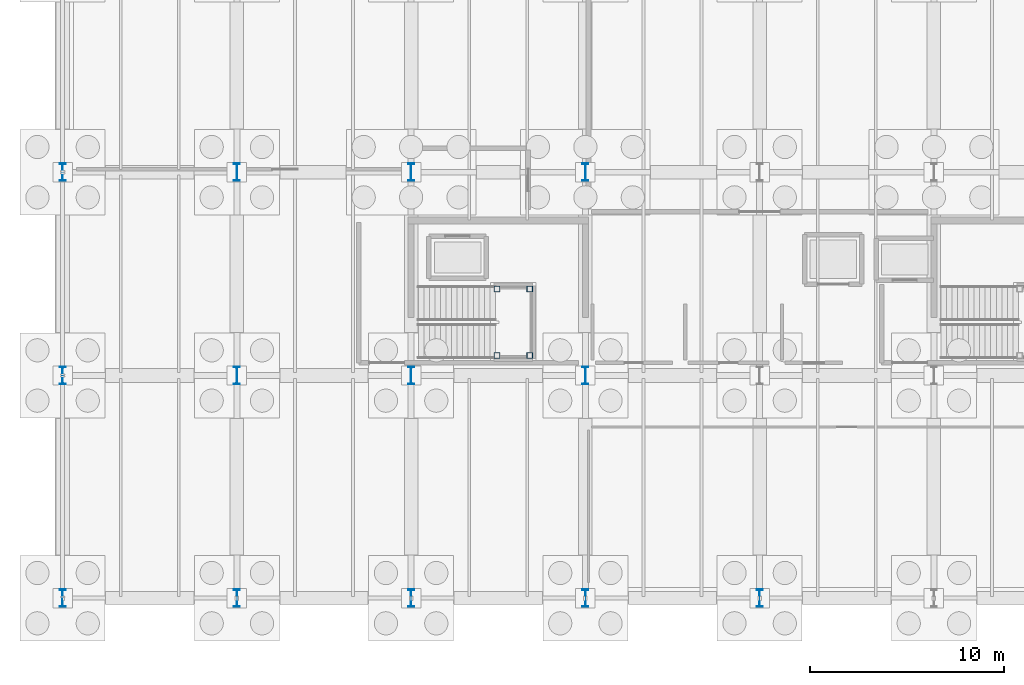
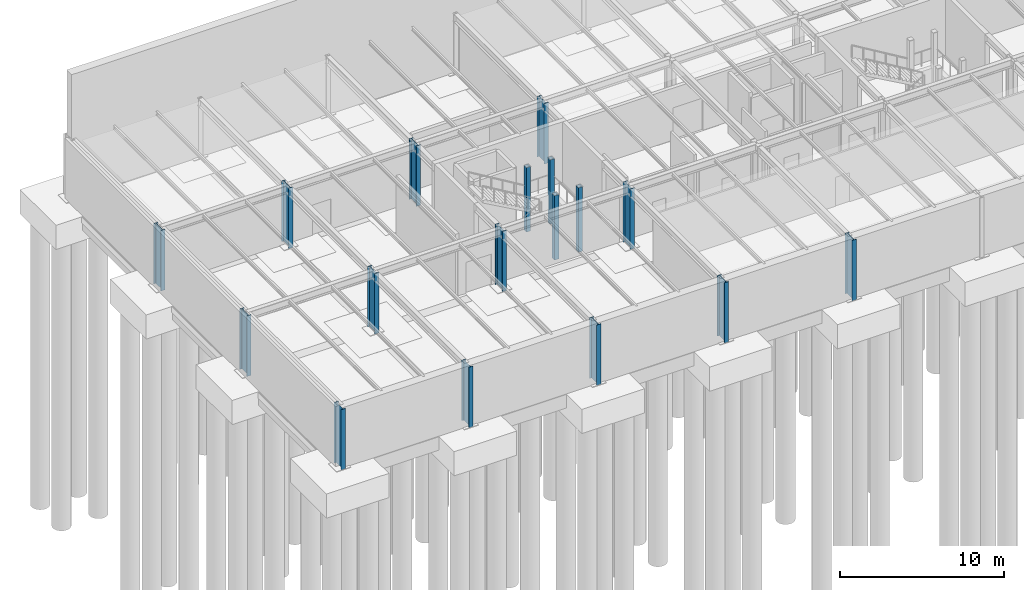
# One storey, part 3 of 19: 17 columns.
"""IFC4 building model written with IfcOpenShell, lengths in metres."""

from ifc_helpers import new_model, si_unit, direction, frame, origin, origin_2d, place, context, subcontext, project, spatial, hollow_rectangle, i_section, extrude, material, material_profile, profile_set, type_object, element, save


model = new_model("IFC4")

# Units and contexts
model_context = context("Model", 3, precision=1e-05, world=origin(), true_north=direction((0.0, 1.0)))
body_context = subcontext(model_context, "Body", "Model", "MODEL_VIEW")
ifc_project = project(units=[si_unit("LENGTHUNIT", "METRE"), si_unit("AREAUNIT", "SQUARE_METRE"), si_unit("VOLUMEUNIT", "CUBIC_METRE"), si_unit("PLANEANGLEUNIT", "RADIAN"), si_unit("MASSUNIT", "GRAM", prefix="KILO")], contexts=[model_context])

# Site, building, storey
site_placement = place(None, origin())
site = spatial("IfcSite", under=ifc_project, at=site_placement, CompositionType="ELEMENT")
building_placement = place(site_placement, origin())
building = spatial("IfcBuilding", under=site, at=building_placement, Name="Marlcrest Central Station", CompositionType="ELEMENT")
storey_placement = place(building_placement, frame((0.0, 0.0, -4.800048828125)))
storey = spatial("IfcBuildingStorey", under=building, at=storey_placement, Name="B1", CompositionType="ELEMENT", Elevation=-4.800048828125)

# Columns
ifc_material = material(Name="Steel S355", Category="steel")
ifc_material_profile_1 = material_profile(ifc_material, i_section(OverallWidth=0.300048828125, OverallDepth=0.89990234375, WebThickness=0.0185546875, FlangeThickness=0.034912109375, FilletRadius=0.030029296875, at=origin_2d()), Name="HEB 900")
ifc_profile_set_1 = profile_set([ifc_material_profile_1], Name="Steel S355")
column_type_1 = type_object("IfcColumnType", Name="SC-09", PredefinedType="COLUMN", material=ifc_profile_set_1)
for number, where, z_axis, x_axis, name in (
    (1, (0.0, 99.0, 0.0), (0.0, 0.0, 1.0), (1.0, 0.0, 0.0), "col-SC-09-B1-0001"),
    (2, (0.0, 110.5, 0.0), (0.0, 0.0, 1.0), (1.0, 0.0, 0.0), "col-SC-09-B1-0002"),
    (3, (0.0, 121.0, 0.0), (0.0, 0.0, 1.0), (1.0, 0.0, 0.0), "col-SC-09-B1-0003"),
    (4, (9.0, 99.0, 0.0), (0.0, 0.0, 1.0), (1.0, 0.0, 0.0), "col-SC-09-B1-0005"),
    (5, (9.0, 110.5, 0.0), (0.0, 0.0, 1.0), (1.0, 0.0, 0.0), "col-SC-09-B1-0006"),
    (6, (9.0, 121.0, 0.0), (0.0, 0.0, 1.0), (1.0, 0.0, 0.0), "col-SC-09-B1-0007"),
    (7, (18.0, 99.0, 0.0), (0.0, 0.0, 1.0), (1.0, 0.0, 0.0), "col-SC-09-B1-0009"),
    (8, (18.0, 110.5, 0.0), (0.0, 0.0, 1.0), (1.0, 0.0, 0.0), "col-SC-09-B1-0010"),
    (9, (18.0, 121.0, 0.0), (0.0, 0.0, 1.0), (1.0, 0.0, 0.0), "col-SC-09-B1-0011"),
    (10, (27.0, 99.0, 0.0), (0.0, 0.0, 1.0), (1.0, 0.0, 0.0), "col-SC-09-B1-0013"),
    (11, (27.0, 110.5, 0.0), (0.0, 0.0, 1.0), (1.0, 0.0, 0.0), "col-SC-09-B1-0014"),
    (12, (27.0, 121.0, 0.0), (0.0, 0.0, 1.0), (1.0, 0.0, 0.0), "col-SC-09-B1-0015"),
    (13, (36.0, 99.0, 0.0), (0.0, 0.0, 1.0), (1.0, 0.0, 0.0), "col-SC-09-B1-0017"),
):
    element("IfcColumn", number, at=place(storey_placement, frame(where, z_axis=z_axis, x_axis=x_axis)), inside=storey, type_object=column_type_1, Name=name, PredefinedType="COLUMN", context=body_context, shape_type="SweptSolid", body=[
        extrude(i_section(OverallWidth=0.300048828125, OverallDepth=0.89990234375, WebThickness=0.0185546875, FlangeThickness=0.034912109375, FilletRadius=0.030029296875, at=origin_2d()), origin(), (0.0, 0.0, 1.0), 4.5),
    ])
ifc_material_profile_2 = material_profile(ifc_material, hollow_rectangle(XDim=0.300048828125, YDim=0.300048828125, WallThickness=0.01611328125, at=origin_2d()), Name="SHS 300x300x16")
ifc_profile_set_2 = profile_set([ifc_material_profile_2], Name="Steel S355")
column_type_2 = type_object("IfcColumnType", Name="SC-19", PredefinedType="COLUMN", material=ifc_profile_set_2)
for number, where, z_axis, x_axis, name in (
    (14, (22.43994140625, 111.530029296875, 0.0), (0.0, 0.0, 1.0), (1.0, 0.0, 0.0), "htcol-b1-0042-0"),
    (15, (24.1201171875, 111.530029296875, 0.0), (0.0, 0.0, 1.0), (1.0, 0.0, 0.0), "htcol-b1-0042-1"),
    (16, (24.1201171875, 114.969970703125, 0.0), (0.0, 0.0, 1.0), (1.0, 0.0, 0.0), "htcol-b1-0042-2"),
    (17, (22.43994140625, 114.969970703125, 0.0), (0.0, 0.0, 1.0), (1.0, 0.0, 0.0), "htcol-b1-0042-3"),
):
    element("IfcColumn", number, at=place(storey_placement, frame(where, z_axis=z_axis, x_axis=x_axis)), inside=storey, type_object=column_type_2, Name=name, PredefinedType="COLUMN", context=body_context, shape_type="SweptSolid", body=[
        extrude(hollow_rectangle(XDim=0.300048828125, YDim=0.300048828125, WallThickness=0.01611328125, at=origin_2d()), origin(), (0.0, 0.0, 1.0), 4.800048828125),
    ])

save(model, "model.ifc")
